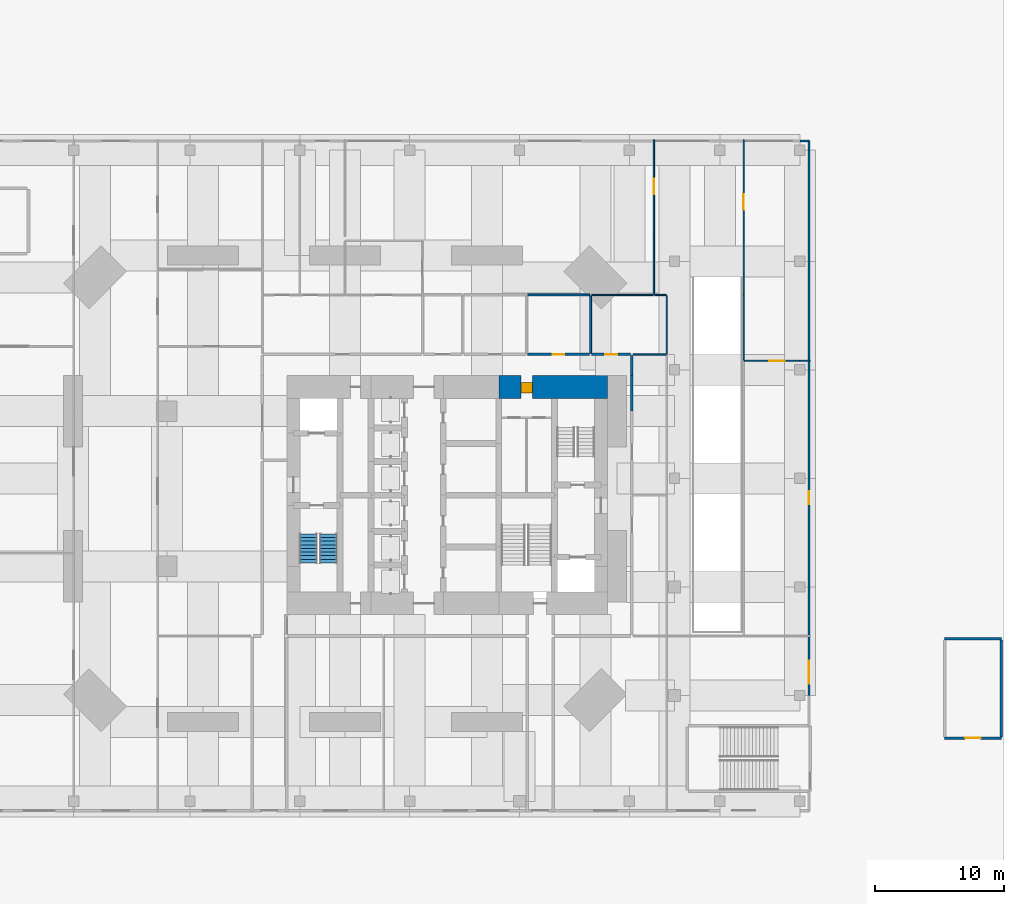
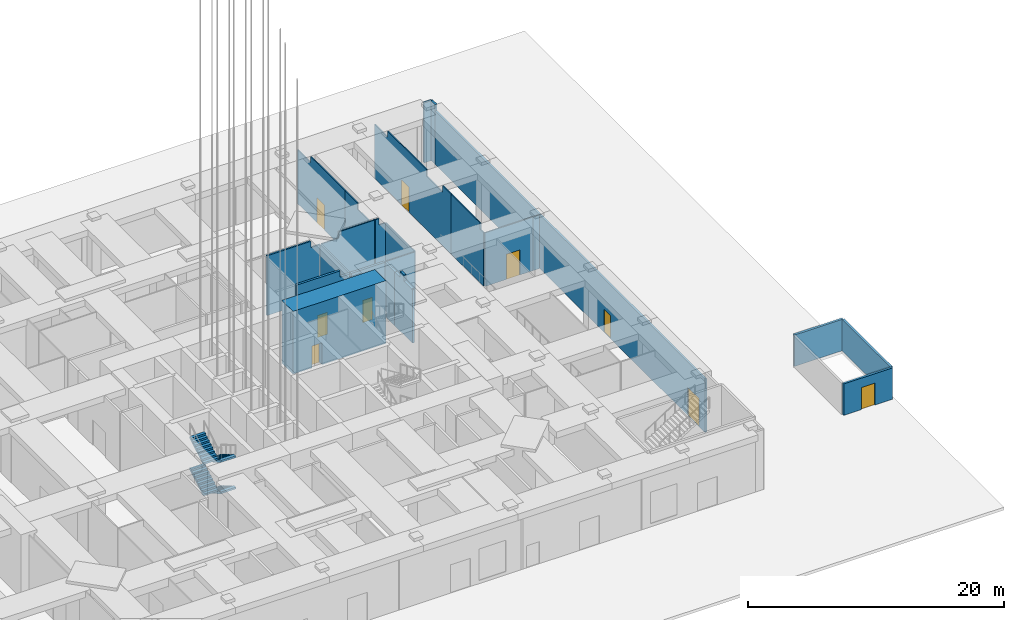
# One storey, part 10 of 17: 23 walls, 9 doors, 4 stair flights, 9 openings, 1 element without a shape of its own.
"""IFC4 building model written with IfcOpenShell, lengths in metres."""

from ifc_helpers import new_model, si_unit, direction, frame, frame_2d, origin, place, context, subcontext, project, spatial, polyline, rectangle, outline, extrude, material, layer, layer_set, constituent, constituent_set, type_object, element, fill, aggregate, save


model = new_model("IFC4")

# Units and contexts
model_context = context("Model", 3, precision=1e-05, world=origin(), true_north=direction((0.0, 1.0)))
body_context = subcontext(model_context, "Body", "Model", "MODEL_VIEW")
ifc_project = project(units=[si_unit("LENGTHUNIT", "METRE"), si_unit("AREAUNIT", "SQUARE_METRE"), si_unit("VOLUMEUNIT", "CUBIC_METRE"), si_unit("PLANEANGLEUNIT", "RADIAN"), si_unit("MASSUNIT", "GRAM", prefix="KILO")], contexts=[model_context])

# Site, building, storey
site_placement = place(None, origin())
site = spatial("IfcSite", under=ifc_project, at=site_placement, CompositionType="ELEMENT")
building_placement = place(site_placement, origin())
building = spatial("IfcBuilding", under=site, at=building_placement, Name="Jalousie Tower", CompositionType="ELEMENT")
storey_placement = place(building_placement, origin())
storey = spatial("IfcBuildingStorey", under=building, at=storey_placement, Name="L00", CompositionType="ELEMENT", Elevation=0.0)

# Walls
ifc_material_1 = material(Name="Concrete block ASTM C90", Category="concrete")
ifc_constituent_1 = constituent(ifc_material_1, Name="Body")
ifc_material_2 = material(Name="Render")
ifc_constituent_2 = constituent(ifc_material_2, Name="Finish")
ifc_constituent_set_1 = constituent_set(constituents=[ifc_constituent_1, ifc_constituent_2])
wall_type_1 = type_object("IfcWallType", Name="BATHROOM WALL 150", PredefinedType="PLUMBINGWALL", material=ifc_constituent_set_1)
wall_1_placement = place(storey_placement, frame((43.0, 29.5, 0.0), z_axis=(0.0, 0.0, 1.0), x_axis=(0.0, 1.0, 0.0)))
element("IfcWall", 1, at=wall_1_placement, inside=storey, type_object=wall_type_1, Name="Bathroom Wall 150 L00", PredefinedType="PLUMBINGWALL", context=body_context, shape_type="SweptSolid", body=[
    extrude(outline(polyline([(0.0, 0.0), (4.425048828125, 0.0), (4.425048828125, 5.719970703125), (4.425048828125, 5.1201171875), (0.0, 5.1201171875), (0.0, 5.719970703125), (0.0, 0.0)])), frame((0.0, 0.074951171875, 0.0), z_axis=(0.0, -1.0, 0.0), x_axis=(1.0, 0.0, 0.0)), (0.0, 0.0, 1.0), 0.14990234375),
])
wall_2_placement = place(storey_placement, frame((38.135009765625, 34.0, 0.0), z_axis=(0.0, 0.0, 1.0), x_axis=(1.0, 0.0, 0.0)))
element("IfcWall", 2, at=wall_2_placement, inside=storey, type_object=wall_type_1, Name="Bathroom Wall 150 L00", PredefinedType="PLUMBINGWALL", context=body_context, shape_type="SweptSolid", body=[
    extrude(outline(polyline([(0.0, 0.0), (4.7900390625, 0.0), (4.7900390625, 5.719970703125), (4.7900390625, 5.1201171875), (3.948486328125, 5.1201171875), (3.948486328125, 5.719970703125), (0.0, 5.719970703125), (0.0, 0.0)])), frame((0.0, 0.074951171875, 0.0), z_axis=(0.0, -1.0, 0.0), x_axis=(1.0, 0.0, 0.0)), (0.0, 0.0, 1.0), 0.14990234375),
])

# Wall, opening, door
ifc_material_3 = material(Name="Concrete f'c 120 MPa", Category="concrete")
ifc_layer = layer(ifc_material_3, 1.75)
ifc_layer_set = layer_set([ifc_layer], Name="Concrete f'c 120 MPa")
wall_type_2 = type_object("IfcWallType", Name="CORE WALL 1750", PredefinedType="SHEAR", material=ifc_layer_set)
wall_3_placement = place(storey_placement, frame((44.300048828125, 26.875, 0.0), z_axis=(0.0, 0.0, 1.0), x_axis=(-1.0, 0.0, 0.0)))
wall_3 = element("IfcWall", 3, at=wall_3_placement, inside=storey, type_object=wall_type_2, Name="Core wall NA L00", PredefinedType="SHEAR", context=body_context, shape_type="SweptSolid", body=[
    extrude(rectangle(XDim=8.400146484375, YDim=1.75, at=frame_2d((4.2001953125, 0.0))), origin(), (0.0, 0.0, 1.0), 6.0),
])
opening_1_placement = place(wall_3_placement, frame((5.800048828125, 0.0, 0.0)))
opening_1 = element("IfcOpeningElement", 4, at=opening_1_placement, cuts=wall_3, Name="Opening D25", PredefinedType="OPENING", context=body_context, shape_type="SweptSolid", body=[
    extrude(rectangle(XDim=0.89990234375, YDim=2.10009765625, at=frame_2d((0.449951171875, 1.050048828125))), frame((0.0, 0.885009765625, 0.0), z_axis=(0.0, -1.0, 0.0), x_axis=(1.0, 0.0, 0.0)), (0.0, 0.0, 1.0), 1.77001953125),
])
ifc_material_4 = material(Name="Steel fire door", Category="steel")
door_type_1 = type_object("IfcDoorType", Name="SERVICE LOBBY DOOR 900", OperationType="SINGLE_SWING_LEFT", PredefinedType="DOOR", material=ifc_material_4)
door_1_placement = place(opening_1_placement, origin())
door_1 = element("IfcDoor", 5, at=door_1_placement, inside=storey, type_object=door_type_1, Name="Service lobby door", OperationType="SINGLE_SWING_RIGHT", OverallHeight=2.10009765625, OverallWidth=0.89990234375, PredefinedType="DOOR", context=body_context, shape_type="SweptSolid", body=[
    extrude(rectangle(XDim=0.89990234375, YDim=2.10009765625, at=frame_2d((0.449951171875, 1.050048828125))), frame((0.0, 0.47021484375, 0.0), z_axis=(0.0, -1.0, 0.0), x_axis=(1.0, 0.0, 0.0)), (0.0, 0.0, 1.0), 0.800048828125),
])
fill(opening_1, door_1)

# Wall
ifc_material_5 = material(Name="Concrete block ASTM C90", Category="concrete")
ifc_constituent_3 = constituent(ifc_material_5, Name="Body")
ifc_material_6 = material(Name="Render")
ifc_constituent_4 = constituent(ifc_material_6, Name="Finish")
ifc_constituent_set_2 = constituent_set(constituents=[ifc_constituent_3, ifc_constituent_4])
wall_type_3 = type_object("IfcWallType", Name="CORRIDOR WALL 200", PredefinedType="PARTITIONING", material=ifc_constituent_set_2)
wall_4_placement = place(storey_placement, frame((46.199951171875, 27.75, 0.0), z_axis=(0.0, 0.0, 1.0), x_axis=(0.0, 1.0, 0.0)))
element("IfcWall", 6, at=wall_4_placement, inside=storey, type_object=wall_type_3, Name="Corridor Wall 200 L00", PredefinedType="PARTITIONING", context=body_context, shape_type="SweptSolid", body=[
    extrude(outline(polyline([(0.0, 0.0), (1.550048828125, 0.0), (1.550048828125, 5.719970703125), (1.550048828125, 5.1201171875), (0.0, 5.1201171875), (0.0, 5.719970703125), (0.0, 0.0)])), frame((0.0, 0.10009765625, 0.0), z_axis=(0.0, -1.0, 0.0), x_axis=(1.0, 0.0, 0.0)), (0.0, 0.0, 1.0), 0.199951171875),
])

# Wall, opening, door
wall_5_placement = place(storey_placement, frame((38.135009765625, 29.39990234375, 0.0), z_axis=(0.0, 0.0, 1.0), x_axis=(1.0, 0.0, 0.0)))
wall_5 = element("IfcWall", 7, at=wall_5_placement, inside=storey, type_object=wall_type_3, Name="Corridor Wall 200 L00", PredefinedType="PARTITIONING", context=body_context, shape_type="SweptSolid", body=[
    extrude(outline(polyline([(0.0, 0.0), (4.7900390625, 0.0), (4.7900390625, 5.719970703125), (4.7900390625, 5.1201171875), (3.923583984375, 5.1201171875), (3.923583984375, 5.719970703125), (0.0, 5.719970703125), (0.0, 0.0)])), frame((0.0, 0.10009765625, 0.0), z_axis=(0.0, -1.0, 0.0), x_axis=(1.0, 0.0, 0.0)), (0.0, 0.0, 1.0), 0.199951171875),
])
opening_2_placement = place(wall_5_placement, frame((1.945068359375, 0.0, 0.0)))
opening_2 = element("IfcOpeningElement", 8, at=opening_2_placement, cuts=wall_5, Name="Opening D20", PredefinedType="OPENING", context=body_context, shape_type="SweptSolid", body=[
    extrude(rectangle(XDim=0.89990234375, YDim=2.10009765625, at=frame_2d((0.449951171875, 1.050048828125))), frame((0.0, 0.10986328125, 0.0), z_axis=(0.0, -1.0, 0.0), x_axis=(1.0, 0.0, 0.0)), (0.0, 0.0, 1.0), 0.219970703125),
])
ifc_material_7 = material(Name="Timber fire door", Category="wood")
door_type_2 = type_object("IfcDoorType", Name="CORRIDOR DOOR 900", OperationType="SINGLE_SWING_LEFT", PredefinedType="DOOR", material=ifc_material_7)
door_2_placement = place(opening_2_placement, origin())
door_2 = element("IfcDoor", 9, at=door_2_placement, inside=storey, type_object=door_type_2, Name="Male WC door", OperationType="SINGLE_SWING_LEFT", OverallHeight=2.10009765625, OverallWidth=0.89990234375, PredefinedType="DOOR", context=body_context, shape_type="SweptSolid", body=[
    extrude(rectangle(XDim=0.89990234375, YDim=2.10009765625, at=frame_2d((0.449951171875, 1.050048828125))), frame((0.0, 0.02490234375, 0.0), z_axis=(0.0, -1.0, 0.0), x_axis=(1.0, 0.0, 0.0)), (0.0, 0.0, 1.0), 0.050048828125),
])
fill(opening_2, door_2)

wall_6_placement = place(storey_placement, frame((43.074951171875, 29.39990234375, 0.0), z_axis=(0.0, 0.0, 1.0), x_axis=(1.0, 0.0, 0.0)))
wall_6 = element("IfcWall", 10, at=wall_6_placement, inside=storey, type_object=wall_type_3, Name="Corridor Wall 200 L00", PredefinedType="PARTITIONING", context=body_context, shape_type="SweptSolid", body=[
    extrude(outline(polyline([(0.0, 0.0), (3.025146484375, 0.0), (3.02490234375, 5.719970703125), (3.02490234375, 5.1201171875), (1.603515625, 5.1201171875), (0.0, 5.1201171875), (0.0, 5.719970703125), (0.0, 0.0)])), frame((0.0, 0.10009765625, 0.0), z_axis=(0.0, -1.0, 0.0), x_axis=(1.0, 0.0, 0.0)), (0.0, 0.0, 1.0), 0.199951171875),
])
opening_3_placement = place(wall_6_placement, frame((1.074951171875, 0.0, 0.0)))
opening_3 = element("IfcOpeningElement", 11, at=opening_3_placement, cuts=wall_6, Name="Opening D20", PredefinedType="OPENING", context=body_context, shape_type="SweptSolid", body=[
    extrude(rectangle(XDim=0.89990234375, YDim=2.10009765625, at=frame_2d((0.449951171875, 1.050048828125))), frame((0.0, 0.10986328125, 0.0), z_axis=(0.0, -1.0, 0.0), x_axis=(1.0, 0.0, 0.0)), (0.0, 0.0, 1.0), 0.219970703125),
])
door_3_placement = place(opening_3_placement, origin())
door_3 = element("IfcDoor", 12, at=door_3_placement, inside=storey, type_object=door_type_2, Name="Cleaner's store door", OperationType="SINGLE_SWING_LEFT", OverallHeight=2.10009765625, OverallWidth=0.89990234375, PredefinedType="DOOR", context=body_context, shape_type="SweptSolid", body=[
    extrude(rectangle(XDim=0.89990234375, YDim=2.10009765625, at=frame_2d((0.449951171875, 1.050048828125))), frame((0.0, 0.02490234375, 0.0), z_axis=(0.0, -1.0, 0.0), x_axis=(1.0, 0.0, 0.0)), (0.0, 0.0, 1.0), 0.050048828125),
])
fill(opening_3, door_3)

# Wall
wall_7_placement = place(storey_placement, frame((46.199951171875, 25.0, 0.0), z_axis=(0.0, 0.0, 1.0), x_axis=(0.0, 1.0, 0.0)))
element("IfcWall", 13, at=wall_7_placement, inside=storey, type_object=wall_type_3, Name="Corridor Wall 200 L00-B", PredefinedType="PARTITIONING", context=body_context, shape_type="SweptSolid", body=[
    extrude(outline(polyline([(0.0, 0.0), (2.75, 0.0), (2.75, 5.1201171875), (1.889892578125, 5.1201171875), (1.889892578125, 5.719970703125), (1.31005859375, 5.719970703125), (1.31005859375, 5.1201171875), (0.110107421875, 5.1201171875), (0.110107421875, 5.070068359375), (0.0, 5.070068359375), (0.0, 0.0)])), frame((0.0, 0.10009765625, 0.0), z_axis=(0.0, -1.0, 0.0), x_axis=(1.0, 0.0, 0.0)), (0.0, 0.0, 1.0), 0.199951171875),
])

# Wall, openings, doors
ifc_material_8 = material(Name="Concrete f'c 40 MPa", Category="concrete")
ifc_constituent_5 = constituent(ifc_material_8, Name="Body")
ifc_material_9 = material(Name="Render, pastel coral")
ifc_constituent_6 = constituent(ifc_material_9, Name="Finish")
ifc_constituent_set_3 = constituent_set(constituents=[ifc_constituent_5, ifc_constituent_6])
wall_type_4 = type_object("IfcWallType", Name="EXTERNAL WALL 175 CORAL RENDER", PredefinedType="SOLIDWALL", material=ifc_constituent_set_3)
wall_8_placement = place(storey_placement, frame((59.91259765625, 3.0, 0.0), z_axis=(0.0, 0.0, 1.0), x_axis=(0.0, 1.0, 0.0)))
wall_8 = element("IfcWall", 14, at=wall_8_placement, inside=storey, type_object=wall_type_4, Name="External Wall 175 Coral Render L00-B", PredefinedType="SOLIDWALL", context=body_context, shape_type="SweptSolid", body=[
    extrude(rectangle(XDim=42.199951171875, YDim=0.175048828125, at=frame_2d((21.10009765625, 0.0))), origin(), (0.0, 0.0, 1.0), 5.1201171875),
])
opening_4_placement = place(wall_8_placement, frame((0.892578125, 0.0, 0.0)))
opening_4 = element("IfcOpeningElement", 15, at=opening_4_placement, cuts=wall_8, Name="Opening D-SHP", PredefinedType="OPENING", context=body_context, shape_type="SweptSolid", body=[
    extrude(rectangle(XDim=1.800048828125, YDim=2.699951171875, at=frame_2d((0.89990234375, 1.35009765625))), frame((0.0, 0.097412109375, 0.0), z_axis=(0.0, -1.0, 0.0), x_axis=(1.0, 0.0, 0.0)), (0.0, 0.0, 1.0), 0.195068359375),
])
opening_5_placement = place(wall_8_placement, frame((14.800048828125, 0.0, 0.0)))
opening_5 = element("IfcOpeningElement", 16, at=opening_5_placement, cuts=wall_8, Name="Opening D-PED", PredefinedType="OPENING", context=body_context, shape_type="SweptSolid", body=[
    extrude(rectangle(XDim=1.0, YDim=2.199951171875, at=frame_2d((0.5, 1.10009765625))), frame((0.0, 0.097412109375, 0.0), z_axis=(0.0, -1.0, 0.0), x_axis=(1.0, 0.0, 0.0)), (0.0, 0.0, 1.0), 0.195068359375),
])
ifc_material_10 = material(Name="Steel door", Category="steel")
door_type_3 = type_object("IfcDoorType", Name="PEDESTRIAN DOOR 1000x2200", OperationType="SINGLE_SWING_LEFT", PredefinedType="DOOR", material=ifc_material_10)
door_4_placement = place(opening_5_placement, frame((1.0, 0.0, 0.0), z_axis=(0.0, 0.0, 1.0), x_axis=(-1.0, 0.0, 0.0)))
door_4 = element("IfcDoor", 17, at=door_4_placement, inside=storey, type_object=door_type_3, Name="Goods receiving room pedestrian door", OperationType="SINGLE_SWING_RIGHT", OverallHeight=2.199951171875, OverallWidth=1.0, PredefinedType="DOOR", context=body_context, shape_type="SweptSolid", body=[
    extrude(rectangle(XDim=1.0, YDim=2.199951171875, at=frame_2d((0.5, 1.10009765625))), frame((0.0, 0.02490234375, 0.0), z_axis=(0.0, -1.0, 0.0), x_axis=(1.0, 0.0, 0.0)), (0.0, 0.0, 1.0), 0.050048828125),
])
fill(opening_5, door_4)
ifc_material_11 = material(Name="Aluminium frame, impact-rated glazing", Category="aluminium")
door_type_4 = type_object("IfcDoorType", Name="SHOP DOOR 1800x2700", OperationType="DOUBLE_DOOR_SINGLE_SWING", PredefinedType="DOOR", material=ifc_material_11)
door_5_placement = place(opening_4_placement, frame((1.800048828125, 0.0, 0.0), z_axis=(0.0, 0.0, 1.0), x_axis=(-1.0, 0.0, 0.0)))
door_5 = element("IfcDoor", 18, at=door_5_placement, inside=storey, type_object=door_type_4, Name="Retail unit 6 street door", OperationType="DOUBLE_DOOR_SINGLE_SWING", OverallHeight=2.699951171875, OverallWidth=1.800048828125, PredefinedType="DOOR", context=body_context, shape_type="SweptSolid", body=[
    extrude(rectangle(XDim=1.800048828125, YDim=2.699951171875, at=frame_2d((0.89990234375, 1.35009765625))), frame((0.0, 0.02490234375, 0.0), z_axis=(0.0, -1.0, 0.0), x_axis=(1.0, 0.0, 0.0)), (0.0, 0.0, 1.0), 0.050048828125),
])
fill(opening_4, door_5)

# Walls
for number, where, z_axis, x_axis, name in (
    (19, (59.91259765625, 45.199951171875, 0.0), (0.0, 0.0, 1.0), (0.0, 1.0, 0.0), "External Wall 175 Coral Render L00-C"),
    (20, (59.91259765625, 45.91259765625, 0.0), (0.0, 0.0, 1.0), (-1.0, 0.0, 0.0), "External Wall 175 Coral Render L00-A"),
):
    element("IfcWall", number, at=place(storey_placement, frame(where, z_axis=z_axis, x_axis=x_axis)), inside=storey, type_object=wall_type_4, Name=name, PredefinedType="SOLIDWALL", context=body_context, shape_type="SweptSolid", body=[
        extrude(rectangle(XDim=0.712646484375, YDim=0.175048828125, at=frame_2d((0.3564453125, 0.0))), origin(), (0.0, 0.0, 1.0), 5.719970703125),
    ])

# Wall, opening, door
ifc_material_12 = material(Name="Type X gypsum board", Category="gypsum")
ifc_constituent_7 = constituent(ifc_material_12, Name="Body")
ifc_material_13 = material(Name="Light-gauge steel studs ASTM A653 SS Grade 33", Category="steel")
ifc_constituent_8 = constituent(ifc_material_13, Name="Framing")
ifc_constituent_set_4 = constituent_set(constituents=[ifc_constituent_7, ifc_constituent_8])
wall_type_5 = type_object("IfcWallType", Name="FIRE PARTITION 100", PredefinedType="PARTITIONING", material=ifc_constituent_set_4)
wall_9_placement = place(storey_placement, frame((47.89990234375, 38.550048828125, 0.0), z_axis=(0.0, 0.0, 1.0), x_axis=(0.0, 1.0, 0.0)))
wall_9 = element("IfcWall", 21, at=wall_9_placement, inside=storey, type_object=wall_type_5, Name="Fire Partition 100 L00", PredefinedType="PARTITIONING", context=body_context, shape_type="SweptSolid", body=[
    extrude(outline(polyline([(0.0, 0.0), (7.449951171875, 0.0), (7.449951171875, 5.719970703125), (7.449951171875, 5.1201171875), (5.389892578125, 5.1201171875), (5.389892578125, 5.719970703125), (0.0, 5.719970703125), (0.0, 0.0)])), frame((0.0, 0.050048828125, 0.0), z_axis=(0.0, -1.0, 0.0), x_axis=(1.0, 0.0, 0.0)), (0.0, 0.0, 1.0), 0.10009765625),
])
opening_6_placement = place(wall_9_placement, frame((3.22509765625, 0.0, 0.0)))
opening_6 = element("IfcOpeningElement", 22, at=opening_6_placement, cuts=wall_9, Name="Opening D8", PredefinedType="OPENING", context=body_context, shape_type="SweptSolid", body=[
    extrude(rectangle(XDim=1.199951171875, YDim=2.39990234375, at=frame_2d((0.60009765625, 1.199951171875))), frame((0.0, 0.06005859375, 0.0), z_axis=(0.0, -1.0, 0.0), x_axis=(1.0, 0.0, 0.0)), (0.0, 0.0, 1.0), 0.1201171875),
])
ifc_material_14 = material(Name="Steel fire door", Category="steel")
door_type_5 = type_object("IfcDoorType", Name="SERVICE DOOR 1200", OperationType="SINGLE_SWING_LEFT", PredefinedType="DOOR", material=ifc_material_14)
door_6_placement = place(opening_6_placement, frame((1.199951171875, 0.0, 0.0), z_axis=(0.0, 0.0, 1.0), x_axis=(-1.0, 0.0, 0.0)))
door_6 = element("IfcDoor", 23, at=door_6_placement, inside=storey, type_object=door_type_5, Name="Loading hall side door", OperationType="SINGLE_SWING_LEFT", OverallHeight=2.39990234375, OverallWidth=1.199951171875, PredefinedType="DOOR", context=body_context, shape_type="SweptSolid", body=[
    extrude(rectangle(XDim=1.199951171875, YDim=2.39990234375, at=frame_2d((0.60009765625, 1.199951171875))), frame((0.0, 0.02490234375, 0.0), z_axis=(0.0, -1.0, 0.0), x_axis=(1.0, 0.0, 0.0)), (0.0, 0.0, 1.0), 0.050048828125),
])
fill(opening_6, door_6)

wall_10_placement = place(storey_placement, frame((54.89990234375, 28.89990234375, 0.0), z_axis=(0.0, 0.0, 1.0), x_axis=(1.0, 0.0, 0.0)))
wall_10 = element("IfcWall", 24, at=wall_10_placement, inside=storey, type_object=wall_type_5, Name="Fire Partition 100 L00-A", PredefinedType="PARTITIONING", context=body_context, shape_type="SweptSolid", body=[
    extrude(rectangle(XDim=4.300048828125, YDim=0.10009765625, at=frame_2d((2.14990234375, 0.0))), origin(), (0.0, 0.0, 1.0), 5.1201171875),
])
opening_7_placement = place(wall_10_placement, frame((1.925048828125, 0.0, 0.0)))
opening_7 = element("IfcOpeningElement", 25, at=opening_7_placement, cuts=wall_10, Name="Opening D8", PredefinedType="OPENING", context=body_context, shape_type="SweptSolid", body=[
    extrude(rectangle(XDim=1.199951171875, YDim=2.39990234375, at=frame_2d((0.60009765625, 1.199951171875))), frame((0.0, 0.06005859375, 0.0), z_axis=(0.0, -1.0, 0.0), x_axis=(1.0, 0.0, 0.0)), (0.0, 0.0, 1.0), 0.1201171875),
])
door_7_placement = place(opening_7_placement, frame((1.199951171875, 0.0, 0.0), z_axis=(0.0, 0.0, 1.0), x_axis=(-1.0, 0.0, 0.0)))
door_7 = element("IfcDoor", 26, at=door_7_placement, inside=storey, type_object=door_type_5, Name="Goods receiving room door", OperationType="SINGLE_SWING_LEFT", OverallHeight=2.39990234375, OverallWidth=1.199951171875, PredefinedType="DOOR", context=body_context, shape_type="SweptSolid", body=[
    extrude(rectangle(XDim=1.199951171875, YDim=2.39990234375, at=frame_2d((0.60009765625, 1.199951171875))), frame((0.0, 0.02490234375, 0.0), z_axis=(0.0, -1.0, 0.0), x_axis=(1.0, 0.0, 0.0)), (0.0, 0.0, 1.0), 0.050048828125),
])
fill(opening_7, door_7)

# Wall
wall_11_placement = place(storey_placement, frame((59.199951171875, 28.89990234375, 0.0), z_axis=(0.0, 0.0, 1.0), x_axis=(1.0, 0.0, 0.0)))
element("IfcWall", 27, at=wall_11_placement, inside=storey, type_object=wall_type_5, Name="Fire Partition 100 L00-B", PredefinedType="PARTITIONING", context=body_context, shape_type="SweptSolid", body=[
    extrude(rectangle(XDim=0.800048828125, YDim=0.10009765625, at=frame_2d((0.39990234375, 0.0))), origin(), (0.0, 0.0, 1.0), 5.1201171875),
])

# Wall, opening, door
wall_12_placement = place(storey_placement, frame((54.85009765625, 34.0, 0.0), z_axis=(0.0, 0.0, 1.0), x_axis=(0.0, 1.0, 0.0)))
wall_12 = element("IfcWall", 28, at=wall_12_placement, inside=storey, type_object=wall_type_5, Name="Fire Partition 100 L00", PredefinedType="PARTITIONING", context=body_context, shape_type="SweptSolid", body=[
    extrude(outline(polyline([(0.0, 0.0), (12.0, 0.0), (12.0, 5.719970703125), (12.0, 5.1201171875), (9.93994140625, 5.1201171875), (9.93994140625, 5.719970703125), (3.860107421875, 5.719970703125), (3.860107421875, 5.1201171875), (1.340087890625, 5.1201171875), (1.340087890625, 5.719970703125), (0.0, 5.719970703125), (0.0, 0.0)])), frame((0.0, 0.050048828125, 0.0), z_axis=(0.0, -1.0, 0.0), x_axis=(1.0, 0.0, 0.0)), (0.0, 0.0, 1.0), 0.10009765625),
])
opening_8_placement = place(wall_12_placement, frame((6.60009765625, 0.0, 0.0)))
opening_8 = element("IfcOpeningElement", 29, at=opening_8_placement, cuts=wall_12, Name="Opening D8", PredefinedType="OPENING", context=body_context, shape_type="SweptSolid", body=[
    extrude(rectangle(XDim=1.199951171875, YDim=2.39990234375, at=frame_2d((0.60009765625, 1.199951171875))), frame((0.0, 0.06005859375, 0.0), z_axis=(0.0, -1.0, 0.0), x_axis=(1.0, 0.0, 0.0)), (0.0, 0.0, 1.0), 0.1201171875),
])
door_8_placement = place(opening_8_placement, origin())
door_8 = element("IfcDoor", 30, at=door_8_placement, inside=storey, type_object=door_type_5, Name="Loading berth 1 door", OperationType="SINGLE_SWING_RIGHT", OverallHeight=2.39990234375, OverallWidth=1.199951171875, PredefinedType="DOOR", context=body_context, shape_type="SweptSolid", body=[
    extrude(rectangle(XDim=1.199951171875, YDim=2.39990234375, at=frame_2d((0.60009765625, 1.199951171875))), frame((0.0, 0.02490234375, 0.0), z_axis=(0.0, -1.0, 0.0), x_axis=(1.0, 0.0, 0.0)), (0.0, 0.0, 1.0), 0.050048828125),
])
fill(opening_8, door_8)

# Walls
ifc_material_15 = material(Name="Gypsum board", Category="gypsum")
ifc_constituent_9 = constituent(ifc_material_15, Name="Body")
ifc_material_16 = material(Name="Light-gauge steel studs ASTM A653 SS Grade 33", Category="steel")
ifc_constituent_10 = constituent(ifc_material_16, Name="Framing")
ifc_constituent_set_5 = constituent_set(constituents=[ifc_constituent_9, ifc_constituent_10])
wall_type_6 = type_object("IfcWallType", Name="PARTITION 100", PredefinedType="PARTITIONING", material=ifc_constituent_set_5)
wall_13_placement = place(storey_placement, frame((46.300048828125, 29.39990234375, 0.0), z_axis=(0.0, 0.0, 1.0), x_axis=(1.0, 0.0, 0.0)))
element("IfcWall", 31, at=wall_13_placement, inside=storey, type_object=wall_type_6, Name="Partition 100 L00", PredefinedType="PARTITIONING", context=body_context, shape_type="SweptSolid", body=[
    extrude(outline(polyline([(0.0, 0.0), (2.550048828125, 0.0), (2.550048828125, 5.719970703125), (2.550048828125, 5.1201171875), (0.0, 5.1201171875), (0.0, 5.719970703125), (0.0, 0.0)])), frame((0.0, 0.050048828125, 0.0), z_axis=(0.0, -1.0, 0.0), x_axis=(1.0, 0.0, 0.0)), (0.0, 0.0, 1.0), 0.10009765625),
])
wall_14_placement = place(storey_placement, frame((43.074951171875, 34.0, 0.0), z_axis=(0.0, 0.0, 1.0), x_axis=(1.0, 0.0, 0.0)))
element("IfcWall", 32, at=wall_14_placement, inside=storey, type_object=wall_type_6, Name="Partition 100 L00", PredefinedType="PARTITIONING", context=body_context, shape_type="SweptSolid", body=[
    extrude(outline(polyline([(0.0, 0.0), (4.775146484375, 0.0), (4.77490234375, 5.719970703125), (1.5537109375, 5.719970703125), (1.5537109375, 5.1201171875), (0.0, 5.1201171875), (0.0, 5.719970703125), (0.0, 0.0)])), frame((0.0, 0.050048828125, 0.0), z_axis=(0.0, -1.0, 0.0), x_axis=(1.0, 0.0, 0.0)), (0.0, 0.0, 1.0), 0.10009765625),
])
wall_15_placement = place(storey_placement, frame((48.89990234375, 29.449951171875, 0.0), z_axis=(0.0, 0.0, 1.0), x_axis=(0.0, 1.0, 0.0)))
element("IfcWall", 33, at=wall_15_placement, inside=storey, type_object=wall_type_6, Name="Partition 100 L00", PredefinedType="PARTITIONING", context=body_context, shape_type="SweptSolid", body=[
    extrude(outline(polyline([(0.0, 0.0), (4.5, 0.0), (4.5, 5.719970703125), (4.5, 5.1201171875), (0.010009765625, 5.1201171875), (0.0, 5.1201171875), (0.0, 5.719970703125), (0.0, 0.0)])), frame((0.0, 0.050048828125, 0.0), z_axis=(0.0, -1.0, 0.0), x_axis=(1.0, 0.0, 0.0)), (0.0, 0.0, 1.0), 0.10009765625),
])
wall_16_placement = place(storey_placement, frame((47.949951171875, 34.0, 0.0), z_axis=(0.0, 0.0, 1.0), x_axis=(1.0, 0.0, 0.0)))
element("IfcWall", 34, at=wall_16_placement, inside=storey, type_object=wall_type_6, Name="Partition 100 L00", PredefinedType="PARTITIONING", context=body_context, shape_type="SweptSolid", body=[
    extrude(outline(polyline([(0.0, 0.0), (0.900146484375, 0.0), (0.89990234375, 5.719970703125), (0.89990234375, 5.1201171875), (0.2900390625, 5.1201171875), (0.2900390625, 5.719970703125), (0.0, 5.719970703125), (0.0, 0.0)])), frame((0.0, 0.050048828125, 0.0), z_axis=(0.0, -1.0, 0.0), x_axis=(1.0, 0.0, 0.0)), (0.0, 0.0, 1.0), 0.10009765625),
])
wall_17_placement = place(storey_placement, frame((47.89990234375, 34.050048828125, 0.0), z_axis=(0.0, 0.0, 1.0), x_axis=(0.0, 1.0, 0.0)))
element("IfcWall", 35, at=wall_17_placement, inside=storey, type_object=wall_type_6, Name="Partition 100 L00", PredefinedType="PARTITIONING", context=body_context, shape_type="SweptSolid", body=[
    extrude(outline(polyline([(0.0, 0.0), (4.5, 0.0), (4.5, 5.719970703125), (2.57861328125, 5.719970703125), (2.57861328125, 5.1201171875), (0.05859375, 5.1201171875), (0.05859375, 5.719970703125), (0.0, 5.719970703125), (0.0, 0.0)])), frame((0.0, 0.050048828125, 0.0), z_axis=(0.0, -1.0, 0.0), x_axis=(1.0, 0.0, 0.0)), (0.0, 0.0, 1.0), 0.10009765625),
])
wall_18_placement = place(storey_placement, frame((54.85009765625, 28.949951171875, 0.0), z_axis=(0.0, 0.0, 1.0), x_axis=(0.0, 1.0, 0.0)))
element("IfcWall", 36, at=wall_18_placement, inside=storey, type_object=wall_type_6, Name="Partition 100 L00", PredefinedType="PARTITIONING", context=body_context, shape_type="SweptSolid", body=[
    extrude(outline(polyline([(0.0, 0.0), (5.050048828125, 0.0), (5.050048828125, 5.719970703125), (0.510009765625, 5.719970703125), (0.510009765625, 5.1201171875), (0.0, 5.1201171875), (0.0, 5.719970703125), (0.0, 0.0)])), frame((0.0, 0.050048828125, 0.0), z_axis=(0.0, -1.0, 0.0), x_axis=(1.0, 0.0, 0.0)), (0.0, 0.0, 1.0), 0.10009765625),
])

# Wall, opening, door
ifc_material_17 = material(Name="Concrete block ASTM C90", Category="concrete")
ifc_constituent_11 = constituent(ifc_material_17, Name="Body")
ifc_material_18 = material(Name="Render")
ifc_constituent_12 = constituent(ifc_material_18, Name="Finish")
ifc_constituent_set_6 = constituent_set(constituents=[ifc_constituent_11, ifc_constituent_12])
wall_type_7 = type_object("IfcWallType", Name="STAIR WALL 200", PredefinedType="SOLIDWALL", material=ifc_constituent_set_6)
wall_19_placement = place(storey_placement, frame((70.39990234375, -0.300048828125, 0.0), z_axis=(0.0, 0.0, 1.0), x_axis=(1.0, 0.0, 0.0)))
wall_19 = element("IfcWall", 37, at=wall_19_placement, inside=storey, type_object=wall_type_7, Name="Stair BS2 head house wall S", PredefinedType="SOLIDWALL", context=body_context, shape_type="SweptSolid", body=[
    extrude(rectangle(XDim=4.400146484375, YDim=0.199951171875, at=frame_2d((2.2001953125, 0.0))), origin(), (0.0, 0.0, 1.0), 3.0),
])
opening_9_placement = place(wall_19_placement, frame((1.60009765625, 0.0, 0.0)))
opening_9 = element("IfcOpeningElement", 38, at=opening_9_placement, cuts=wall_19, Name="Opening D-EXT", PredefinedType="OPENING", context=body_context, shape_type="SweptSolid", body=[
    extrude(rectangle(XDim=1.199951171875, YDim=2.10009765625, at=frame_2d((0.60009765625, 1.050048828125))), frame((0.0, 0.10986328125, 0.0), z_axis=(0.0, -1.0, 0.0), x_axis=(1.0, 0.0, 0.0)), (0.0, 0.0, 1.0), 0.219970703125),
])
ifc_material_19 = material(Name="Steel door, 90 minute", Category="steel")
door_type_6 = type_object("IfcDoorType", Name="STAIR EXIT DOOR 1200x2100", OperationType="SINGLE_SWING_LEFT", PredefinedType="DOOR", material=ifc_material_19)
door_9_placement = place(opening_9_placement, frame((1.199951171875, 0.0, 0.0), z_axis=(0.0, 0.0, 1.0), x_axis=(-1.0, 0.0, 0.0)))
door_9 = element("IfcDoor", 39, at=door_9_placement, inside=storey, type_object=door_type_6, Name="Stair BS2 exit door", OperationType="SINGLE_SWING_LEFT", OverallHeight=2.10009765625, OverallWidth=1.199951171875, PredefinedType="DOOR", context=body_context, shape_type="SweptSolid", body=[
    extrude(rectangle(XDim=1.199951171875, YDim=2.10009765625, at=frame_2d((0.60009765625, 1.050048828125))), frame((0.0, 0.02490234375, 0.0), z_axis=(0.0, -1.0, 0.0), x_axis=(1.0, 0.0, 0.0)), (0.0, 0.0, 1.0), 0.050048828125),
])
fill(opening_9, door_9)

# Walls
wall_20_placement = place(storey_placement, frame((74.800048828125, -0.199951171875, 0.0), z_axis=(0.0, 0.0, 1.0), x_axis=(0.0, 1.0, 0.0)))
element("IfcWall", 40, at=wall_20_placement, inside=storey, type_object=wall_type_7, Name="Stair BS2 head house wall E", PredefinedType="SOLIDWALL", context=body_context, shape_type="SweptSolid", body=[
    extrude(rectangle(XDim=7.5, YDim=0.199951171875, at=frame_2d((3.75, 0.0))), origin(), (0.0, 0.0, 1.0), 3.0),
])
wall_21_placement = place(storey_placement, frame((74.800048828125, 7.39990234375, 0.0), z_axis=(0.0, 0.0, 1.0), x_axis=(-1.0, 0.0, 0.0)))
element("IfcWall", 41, at=wall_21_placement, inside=storey, type_object=wall_type_7, Name="Stair BS2 head house wall N", PredefinedType="SOLIDWALL", context=body_context, shape_type="SweptSolid", body=[
    extrude(rectangle(XDim=4.400146484375, YDim=0.199951171875, at=frame_2d((2.2001953125, 0.0))), origin(), (0.0, 0.0, 1.0), 3.0),
])

# Stair, stair flights
ifc_material_20 = material(Name="Concrete f'c 40 MPa", Category="concrete")
stair_type = type_object("IfcStairType", Name="EXIT STAIR", PredefinedType="HALF_TURN_STAIR", material=ifc_material_20)
stair_placement = place(storey_placement, origin())
stair = element("IfcStair", 42, at=stair_placement, inside=storey, type_object=stair_type, Name="Exit stair A L00", PredefinedType="HALF_TURN_STAIR")
ifc_material_21 = material(Name="Concrete f'c 40 MPa", Category="concrete")
stair_flight_type = type_object("IfcStairFlightType", Name="STAIR FLIGHT", PredefinedType="STRAIGHT", material=ifc_material_21)
stair_flight_1_placement = place(storey_placement, frame((22.71875, 15.49755859375, 0.0), z_axis=(0.0, 0.0, 1.0), x_axis=(0.0, -1.0, 0.0)))
stair_flight_1 = element("IfcStairFlight", 43, at=stair_flight_1_placement, type_object=stair_flight_type, Name="ST-A flight 1", NumberOfRisers=9, NumberOfTreads=8, PredefinedType="STRAIGHT", RiserHeight=0.166666667, TreadLength=0.28, context=body_context, shape_type="SweptSolid", body=[
    extrude(outline(polyline([(0.0, 0.0), (0.0, 0.166748046875), (0.280029296875, 0.166748046875), (0.280029296875, 0.333251953125), (0.56005859375, 0.333251953125), (0.56005859375, 0.5), (0.840087890625, 0.5), (0.840087890625, 0.666748046875), (1.1201171875, 0.666748046875), (1.1201171875, 0.833251953125), (1.39990234375, 0.833251953125), (1.39990234375, 1.0), (1.679931640625, 1.0), (1.679931640625, 1.166748046875), (1.9599609375, 1.166748046875), (1.9599609375, 1.333251953125), (2.239990234375, 1.333251953125), (2.239990234375, 1.5), (2.239990234375, 1.158935546875), (0.29296875, 0.0), (0.0, 0.0)])), frame((0.0, 0.65625, 0.0), z_axis=(0.0, -1.0, 0.0), x_axis=(1.0, 0.0, 0.0)), (0.0, 0.0, 1.0), 1.3125),
])
stair_flight_2_placement = place(storey_placement, frame((21.15625, 13.257568359375, 1.5), z_axis=(0.0, 0.0, 1.0), x_axis=(0.0, 1.0, 0.0)))
stair_flight_2 = element("IfcStairFlight", 44, at=stair_flight_2_placement, type_object=stair_flight_type, Name="ST-A flight 2", NumberOfRisers=9, NumberOfTreads=8, PredefinedType="STRAIGHT", RiserHeight=0.166666667, TreadLength=0.28, context=body_context, shape_type="SweptSolid", body=[
    extrude(outline(polyline([(0.0, 0.0), (0.0, 0.166748046875), (0.280029296875, 0.166748046875), (0.280029296875, 0.333251953125), (0.56005859375, 0.333251953125), (0.56005859375, 0.5), (0.840087890625, 0.5), (0.840087890625, 0.666748046875), (1.1201171875, 0.666748046875), (1.1201171875, 0.833251953125), (1.39990234375, 0.833251953125), (1.39990234375, 1.0), (1.679931640625, 1.0), (1.679931640625, 1.166748046875), (1.9599609375, 1.166748046875), (1.9599609375, 1.333251953125), (2.239990234375, 1.333251953125), (2.239990234375, 1.5), (2.239990234375, 1.158935546875), (0.29296875, 0.0), (0.0, 0.0)])), frame((0.0, 0.65625, 0.0), z_axis=(0.0, -1.0, 0.0), x_axis=(1.0, 0.0, 0.0)), (0.0, 0.0, 1.0), 1.3125),
])
stair_flight_3_placement = place(storey_placement, frame((22.71875, 15.49755859375, 3.0), z_axis=(0.0, 0.0, 1.0), x_axis=(0.0, -1.0, 0.0)))
stair_flight_3 = element("IfcStairFlight", 45, at=stair_flight_3_placement, type_object=stair_flight_type, Name="ST-A flight 3", NumberOfRisers=9, NumberOfTreads=8, PredefinedType="STRAIGHT", RiserHeight=0.166666667, TreadLength=0.28, context=body_context, shape_type="SweptSolid", body=[
    extrude(outline(polyline([(0.0, 0.0), (0.0, 0.166748046875), (0.280029296875, 0.166748046875), (0.280029296875, 0.333251953125), (0.56005859375, 0.333251953125), (0.56005859375, 0.5), (0.840087890625, 0.5), (0.840087890625, 0.666748046875), (1.1201171875, 0.666748046875), (1.1201171875, 0.833251953125), (1.39990234375, 0.833251953125), (1.39990234375, 1.0), (1.679931640625, 1.0), (1.679931640625, 1.166748046875), (1.9599609375, 1.166748046875), (1.9599609375, 1.333251953125), (2.239990234375, 1.333251953125), (2.239990234375, 1.5), (2.239990234375, 1.158935546875), (0.29296875, 0.0), (0.0, 0.0)])), frame((0.0, 0.65625, 0.0), z_axis=(0.0, -1.0, 0.0), x_axis=(1.0, 0.0, 0.0)), (0.0, 0.0, 1.0), 1.3125),
])
stair_flight_4_placement = place(storey_placement, frame((21.15625, 13.257568359375, 4.5), z_axis=(0.0, 0.0, 1.0), x_axis=(0.0, 1.0, 0.0)))
stair_flight_4 = element("IfcStairFlight", 46, at=stair_flight_4_placement, type_object=stair_flight_type, Name="ST-A flight 4", NumberOfRisers=9, NumberOfTreads=8, PredefinedType="STRAIGHT", RiserHeight=0.166666667, TreadLength=0.28, context=body_context, shape_type="SweptSolid", body=[
    extrude(outline(polyline([(0.0, 0.0), (0.0, 0.166748046875), (0.280029296875, 0.166748046875), (0.280029296875, 0.333251953125), (0.56005859375, 0.333251953125), (0.56005859375, 0.5), (0.840087890625, 0.5), (0.840087890625, 0.666748046875), (1.1201171875, 0.666748046875), (1.1201171875, 0.833251953125), (1.39990234375, 0.833251953125), (1.39990234375, 1.0), (1.679931640625, 1.0), (1.679931640625, 1.166748046875), (1.9599609375, 1.166748046875), (1.9599609375, 1.333251953125), (2.239990234375, 1.333251953125), (2.239990234375, 1.5), (2.239990234375, 1.158935546875), (0.29296875, 0.0), (0.0, 0.0)])), frame((0.0, 0.65625, 0.0), z_axis=(0.0, -1.0, 0.0), x_axis=(1.0, 0.0, 0.0)), (0.0, 0.0, 1.0), 1.3125),
])
aggregate(stair, [stair_flight_1, stair_flight_2, stair_flight_3, stair_flight_4])

save(model, "model.ifc")
